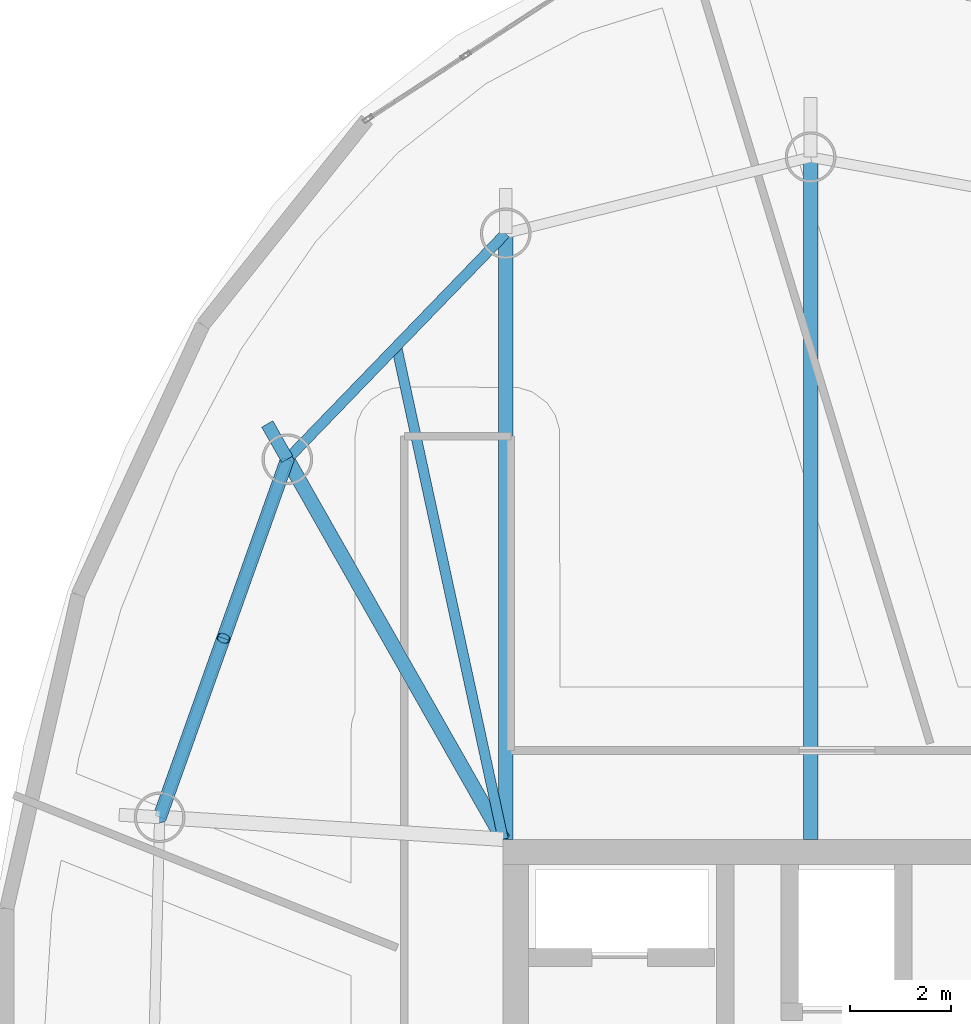
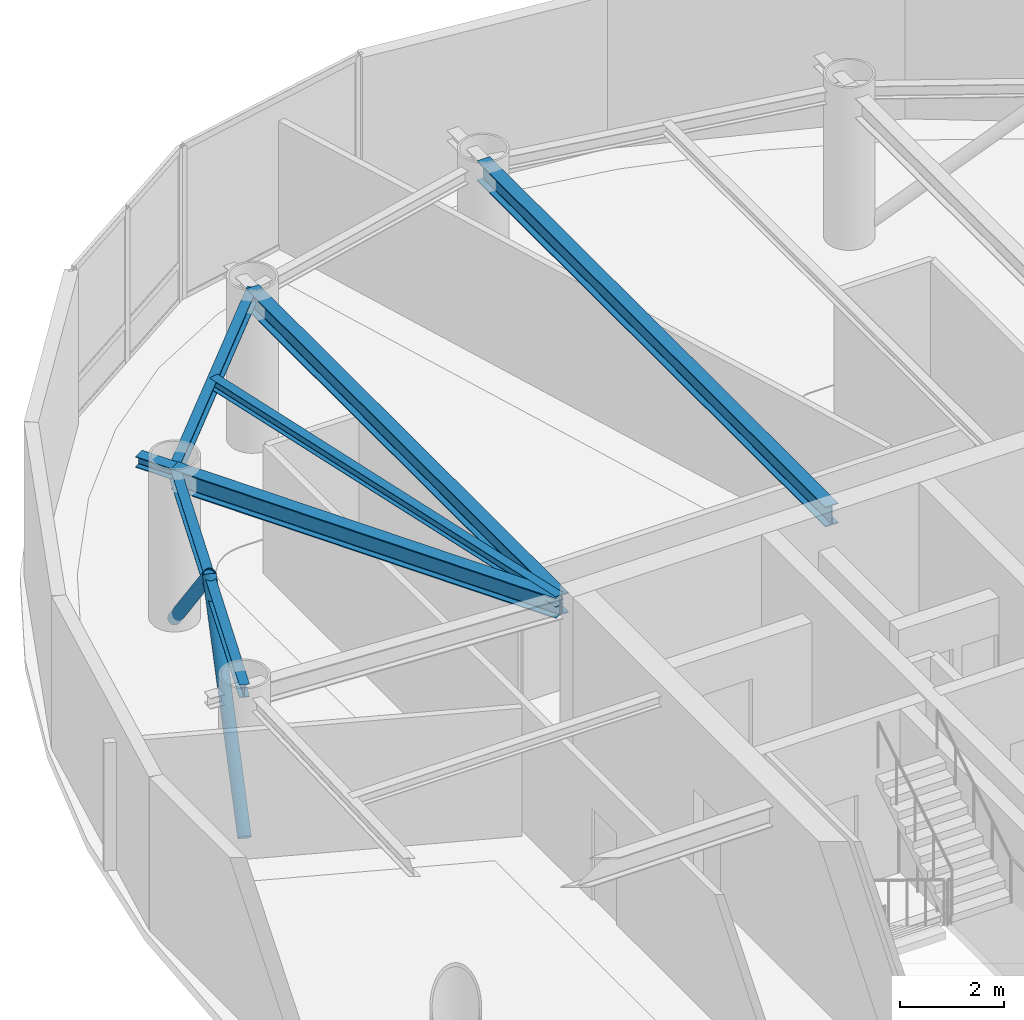
# One storey, part 9 of 20: 7 beams, 2 members.
"""IFC4 building model written with IfcOpenShell, lengths in metres."""

from ifc_helpers import new_model, si_unit, direction, frame, origin, origin_2d, place, context, subcontext, project, spatial, hollow_circle, i_section, extrude, material, material_profile, profile_set, type_object, element, save


model = new_model("IFC4")

# Units and contexts
model_context = context("Model", 3, precision=1e-05, world=origin(), true_north=direction((0.0, 1.0)))
body_context = subcontext(model_context, "Body", "Model", "MODEL_VIEW")
ifc_project = project(units=[si_unit("LENGTHUNIT", "METRE"), si_unit("AREAUNIT", "SQUARE_METRE"), si_unit("VOLUMEUNIT", "CUBIC_METRE"), si_unit("PLANEANGLEUNIT", "RADIAN"), si_unit("MASSUNIT", "GRAM", prefix="KILO")], contexts=[model_context])

# Site, building, storey
site_placement = place(None, origin())
site = spatial("IfcSite", under=ifc_project, at=site_placement, CompositionType="ELEMENT")
building_placement = place(site_placement, origin())
building = spatial("IfcBuilding", under=site, at=building_placement, Name="Bramvorn Convention Spire", CompositionType="ELEMENT")
storey_placement = place(building_placement, frame((0.0, 0.0, 303.64990234375)))
storey = spatial("IfcBuildingStorey", under=building, at=storey_placement, Name="L77", CompositionType="ELEMENT", Elevation=303.64990234375)

# Beams
ifc_material = material(Name="Steel CSA G40.21 Grade 350 (350W)", Category="steel")
ifc_material_profile_1 = material_profile(ifc_material, i_section(OverallWidth=0.201904296875, OverallDepth=0.2470703125, WebThickness=0.00732421875, FlangeThickness=0.010986328125, FilletRadius=0.011962890625, at=origin_2d()))
ifc_profile_set_1 = profile_set([ifc_material_profile_1], Name="Steel CSA G40.21 Grade 350 (350W) - W250X49")
beam_type_1 = type_object("IfcBeamType", Name="BM-W250X49", PredefinedType="JOIST", material=ifc_profile_set_1)
beam_1_placement = place(storey_placement, frame((26.75, 33.449951171875, 3.4765625), z_axis=(-0.211461445939, 0.977386339623, 0.0), x_axis=(-0.977386339623, -0.211461445939, 0.0)))
element("IfcBeam", 1, at=beam_1_placement, inside=storey, type_object=beam_type_1, Name="L77 composite floor joist 09", PredefinedType="JOIST", context=body_context, shape_type="SweptSolid", body=[
    extrude(i_section(OverallWidth=0.201904296875, OverallDepth=0.2470703125, WebThickness=0.00732421875, FlangeThickness=0.010986328125, FilletRadius=0.011962890625, at=origin_2d()), origin(), (0.0, 0.0, 1.0), 9.9462890625),
])
ifc_material_profile_2 = material_profile(ifc_material, i_section(OverallWidth=0.25390625, OverallDepth=0.2529296875, WebThickness=0.008544921875, FlangeThickness=0.01416015625, FilletRadius=0.011962890625, at=origin_2d()))
ifc_profile_set_2 = profile_set([ifc_material_profile_2], Name="Steel CSA G40.21 Grade 350 (350W) - W250X73")
beam_type_2 = type_object("IfcBeamType", Name="BM-W250X73", PredefinedType="BEAM", material=ifc_profile_set_2)
beam_2_placement = place(storey_placement, frame((22.49365234375, 40.94384765625, 3.4736328125), z_axis=(-0.494067079829, 0.869423786556, 0.0), x_axis=(-0.869423786556, -0.494067079829, 0.0)))
element("IfcBeam", 2, at=beam_2_placement, inside=storey, type_object=beam_type_2, Name="L77 slab-edge cantilever tip beam MC10", PredefinedType="BEAM", context=body_context, shape_type="SweptSolid", body=[
    extrude(i_section(OverallWidth=0.25390625, OverallDepth=0.2529296875, WebThickness=0.008544921875, FlangeThickness=0.01416015625, FilletRadius=0.011962890625, at=origin_2d()), origin(), (0.0, 0.0, 1.0), 0.800048828125),
])
ifc_material_profile_3 = material_profile(ifc_material, i_section(OverallWidth=0.202880859375, OverallDepth=0.302978515625, WebThickness=0.007568359375, FlangeThickness=0.01318359375, FilletRadius=0.013916015625, at=origin_2d()))
ifc_profile_set_3 = profile_set([ifc_material_profile_3], Name="Steel CSA G40.21 Grade 350 (350W) - W310X60")
beam_type_3 = type_object("IfcBeamType", Name="BM-W310X60", PredefinedType="JOIST", material=ifc_profile_set_3)
beam_3_placement = place(storey_placement, frame((26.800048828125, 45.39892578125, 3.448486328125), z_axis=(-0.695007159797, -0.719002814898, 0.0), x_axis=(0.719002814898, -0.695007159797, 0.0)))
element("IfcBeam", 3, at=beam_3_placement, inside=storey, type_object=beam_type_3, Name="L77 mega-column ring beam 09", PredefinedType="JOIST", context=body_context, shape_type="SweptSolid", body=[
    extrude(i_section(OverallWidth=0.202880859375, OverallDepth=0.302978515625, WebThickness=0.007568359375, FlangeThickness=0.01318359375, FilletRadius=0.013916015625, at=origin_2d()), origin(), (0.0, 0.0, 1.0), 6.1962890625),
])
beam_4_placement = place(storey_placement, frame((22.49365234375, 40.94384765625, 3.448486328125), z_axis=(-0.335839090413, -0.941919373063, 0.0), x_axis=(0.941919373063, -0.335839090413, 0.0)))
element("IfcBeam", 4, at=beam_4_placement, inside=storey, type_object=beam_type_3, Name="L77 mega-column ring beam 10", PredefinedType="JOIST", context=body_context, shape_type="SweptSolid", body=[
    extrude(i_section(OverallWidth=0.202880859375, OverallDepth=0.302978515625, WebThickness=0.007568359375, FlangeThickness=0.01318359375, FilletRadius=0.013916015625, at=origin_2d()), origin(), (0.0, 0.0, 1.0), 7.49560546875),
])
ifc_material_profile_4 = material_profile(ifc_material, i_section(OverallWidth=0.283935546875, OverallDepth=0.47607421875, WebThickness=0.014892578125, FlangeThickness=0.02392578125, FilletRadius=0.01806640625, at=origin_2d()))
ifc_profile_set_4 = profile_set([ifc_material_profile_4], Name="Steel CSA G40.21 Grade 350 (350W) - W460X158")
beam_type_4 = type_object("IfcBeamType", Name="BM-W460X158", PredefinedType="SPANDREL", material=ifc_profile_set_4)
beam_5_placement = place(storey_placement, frame((32.8115234375, 33.449951171875, 3.362060546875), z_axis=(0.0, 1.0, 0.0), x_axis=(-1.0, 0.0, 0.0)))
element("IfcBeam", 5, at=beam_5_placement, inside=storey, type_object=beam_type_4, Name="L77 radial floor girder MC08", PredefinedType="SPANDREL", context=body_context, shape_type="SweptSolid", body=[
    extrude(i_section(OverallWidth=0.283935546875, OverallDepth=0.47607421875, WebThickness=0.014892578125, FlangeThickness=0.02392578125, FilletRadius=0.01806640625, at=origin_2d()), origin(), (0.0, 0.0, 1.0), 13.450927734375),
])
beam_6_placement = place(storey_placement, frame((26.800048828125, 33.449951171875, 3.362060546875), z_axis=(0.0, 1.0, 0.0), x_axis=(-1.0, 0.0, 0.0)))
element("IfcBeam", 6, at=beam_6_placement, inside=storey, type_object=beam_type_4, Name="L77 radial floor girder MC09", PredefinedType="SPANDREL", context=body_context, shape_type="SweptSolid", body=[
    extrude(i_section(OverallWidth=0.283935546875, OverallDepth=0.47607421875, WebThickness=0.014892578125, FlangeThickness=0.02392578125, FilletRadius=0.01806640625, at=origin_2d()), origin(), (0.0, 0.0, 1.0), 11.948974609375),
])
beam_7_placement = place(storey_placement, frame((26.75, 33.449951171875, 3.362060546875), z_axis=(-0.493873612118, 0.869533699895, 0.0), x_axis=(-0.869533699895, -0.493873612118, 0.0)))
element("IfcBeam", 7, at=beam_7_placement, inside=storey, type_object=beam_type_4, Name="L77 radial floor girder MC10", PredefinedType="SPANDREL", context=body_context, shape_type="SweptSolid", body=[
    extrude(i_section(OverallWidth=0.283935546875, OverallDepth=0.47607421875, WebThickness=0.014892578125, FlangeThickness=0.02392578125, FilletRadius=0.01806640625, at=origin_2d()), origin(), (0.0, 0.0, 1.0), 8.618408203125),
])

# Members
ifc_material_profile_5 = material_profile(ifc_material, hollow_circle(Radius=0.136474609375, WallThickness=0.0126953125, at=origin_2d()))
ifc_profile_set_5 = profile_set([ifc_material_profile_5], Name="Steel CSA G40.21 Grade 350 (350W) - CHS273X13")
member_type = type_object("IfcMemberType", Name="MBR-CHS273X13", PredefinedType="BRACE", material=ifc_profile_set_5)
member_1_placement = place(storey_placement, frame((22.49365234375, 40.94384765625, 0.0), z_axis=(-0.242217811714, -0.679299758997, 0.692735425047), x_axis=(0.941912743486, -0.335857683639, 0.0)))
element("IfcMember", 8, at=member_1_placement, inside=storey, type_object=member_type, Name="L77 perimeter Gothic lancet brace 10A", PredefinedType="BRACE", context=body_context, shape_type="SweptSolid", body=[
    extrude(hollow_circle(Radius=0.136474609375, WallThickness=0.0126953125, at=origin_2d()), origin(), (0.0, 0.0, 1.0), 5.197021484375),
])
member_2_placement = place(storey_placement, frame((19.976318359375, 33.883544921875, 0.0), z_axis=(0.242181317805, 0.67928218703, 0.692765414617), x_axis=(-0.941926002824, 0.335820495509, 0.0)))
element("IfcMember", 9, at=member_2_placement, inside=storey, type_object=member_type, Name="L77 perimeter Gothic lancet brace 10B", PredefinedType="BRACE", context=body_context, shape_type="SweptSolid", body=[
    extrude(hollow_circle(Radius=0.136474609375, WallThickness=0.0126953125, at=origin_2d()), origin(), (0.0, 0.0, 1.0), 5.19677734375),
])

save(model, "model.ifc")
